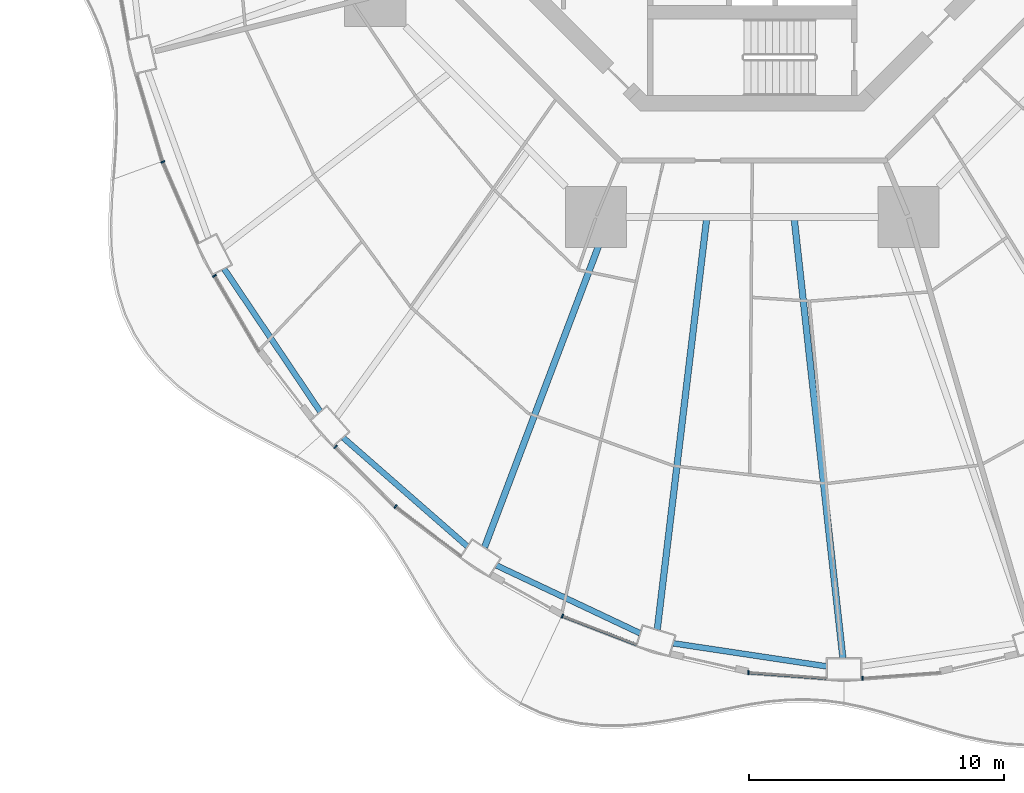
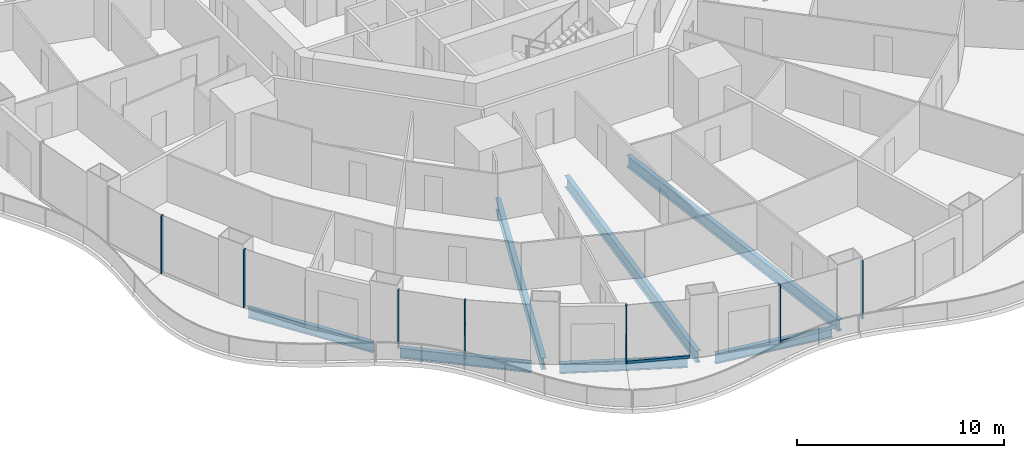
# One storey, part 2 of 23: 9 members, 7 beams, 7 elements without a shape of their own.
"""IFC4 building model written with IfcOpenShell, lengths in metres."""

from ifc_helpers import new_model, si_unit, direction, frame, origin, origin_2d, place, context, subcontext, project, spatial, rectangle, i_section, extrude, material, layer, layer_set, material_profile, profile_set, type_object, element, aggregate, save


model = new_model("IFC4")

# Units and contexts
model_context = context("Model", 3, precision=1e-05, world=origin(), true_north=direction((0.0, 1.0)))
body_context = subcontext(model_context, "Body", "Model", "MODEL_VIEW")
ifc_project = project(units=[si_unit("LENGTHUNIT", "METRE"), si_unit("AREAUNIT", "SQUARE_METRE"), si_unit("VOLUMEUNIT", "CUBIC_METRE"), si_unit("PLANEANGLEUNIT", "RADIAN"), si_unit("MASSUNIT", "GRAM", prefix="KILO")], contexts=[model_context])

# Site, building, storey
site_placement = place(None, origin())
site = spatial("IfcSite", under=ifc_project, at=site_placement, CompositionType="ELEMENT")
building_placement = place(site_placement, origin())
building = spatial("IfcBuilding", under=site, at=building_placement, Name="Nagisa Residences", CompositionType="ELEMENT")
storey_placement = place(building_placement, frame((0.0, 0.0, 56.60009765625)))
storey = spatial("IfcBuildingStorey", under=building, at=storey_placement, Name="L13", CompositionType="ELEMENT", Elevation=56.60009765625)

# Curtain wall, member
ifc_material_1 = material(Name="Concrete-coloured aluminium curtain wall system", Category="concrete")
ifc_layer = layer(ifc_material_1, 0.159912109375)
ifc_layer_set = layer_set([ifc_layer], Name="CW1 CURTAIN WALL")
curtain_wall_type = type_object("IfcCurtainWallType", Name="CW1 CURTAIN WALL", PredefinedType="NOTDEFINED", material=ifc_layer_set)
curtain_wall_1_placement = place(storey_placement, origin())
curtain_wall_1 = element("IfcCurtainWall", 1, at=curtain_wall_1_placement, inside=storey, type_object=curtain_wall_type, Name="cw:CW1:L13:27", PredefinedType="NOTDEFINED")
ifc_material_2 = material(Name="Concrete-coloured aluminium", Category="concrete")
ifc_material_profile_1 = material_profile(ifc_material_2, rectangle(XDim=0.159912109375, YDim=0.06005859375, at=origin_2d()), Name="CW1 MULLION 160x60")
ifc_profile_set_1 = profile_set([ifc_material_profile_1], Name="Concrete-coloured aluminium")
member_type_1 = type_object("IfcMemberType", Name="CW1 MULLION 160x60", PredefinedType="MULLION", material=ifc_profile_set_1)
member_1_placement = place(storey_placement, frame((-23.107177734375, -12.624267578125, 0.0), z_axis=(0.0, 0.0, 1.0), x_axis=(0.917543276295, 0.397635934147, 0.0)))
member_1 = element("IfcMember", 2, at=member_1_placement, type_object=member_type_1, Name="CW1 mullion", PredefinedType="MULLION", context=body_context, shape_type="SweptSolid", body=[
    extrude(rectangle(XDim=0.159912109375, YDim=0.06005859375, at=origin_2d()), origin(), (0.0, 0.0, 1.0), 3.43994140625),
])
aggregate(curtain_wall_1, [member_1])

curtain_wall_2_placement = place(storey_placement, origin())
curtain_wall_2 = element("IfcCurtainWall", 3, at=curtain_wall_2_placement, inside=storey, type_object=curtain_wall_type, Name="cw:CW1:L13:28", PredefinedType="NOTDEFINED")
member_2_placement = place(storey_placement, frame((-21.076171875, -17.089111328125, 0.0), z_axis=(0.0, 0.0, 1.0), x_axis=(0.862328898214, 0.506348567002, 0.0)))
member_2 = element("IfcMember", 4, at=member_2_placement, type_object=member_type_1, Name="CW1 mullion", PredefinedType="MULLION", context=body_context, shape_type="SweptSolid", body=[
    extrude(rectangle(XDim=0.159912109375, YDim=0.06005859375, at=origin_2d()), origin(), (0.0, 0.0, 1.0), 3.43994140625),
])
aggregate(curtain_wall_2, [member_2])

curtain_wall_3_placement = place(storey_placement, origin())
curtain_wall_3 = element("IfcCurtainWall", 5, at=curtain_wall_3_placement, inside=storey, type_object=curtain_wall_type, Name="cw:CW1:L13:30", PredefinedType="NOTDEFINED")
member_3_placement = place(storey_placement, frame((-16.332763671875, -23.79345703125, 0.0), z_axis=(0.0, 0.0, 1.0), x_axis=(0.706376885714, 0.707835924016, 0.0)))
member_3 = element("IfcMember", 6, at=member_3_placement, type_object=member_type_1, Name="CW1 mullion", PredefinedType="MULLION", context=body_context, shape_type="SweptSolid", body=[
    extrude(rectangle(XDim=0.159912109375, YDim=0.06005859375, at=origin_2d()), origin(), (0.0, 0.0, 1.0), 3.43994140625),
])
aggregate(curtain_wall_3, [member_3])

curtain_wall_4_placement = place(storey_placement, origin())
curtain_wall_4 = element("IfcCurtainWall", 7, at=curtain_wall_4_placement, inside=storey, type_object=curtain_wall_type, Name="cw:CW1:L13:31", PredefinedType="NOTDEFINED")
member_4_placement = place(storey_placement, frame((-13.981689453125, -26.13525390625, 0.0), z_axis=(0.0, 0.0, 1.0), x_axis=(0.605255421737, 0.79603132756, 0.0)))
member_4 = element("IfcMember", 8, at=member_4_placement, type_object=member_type_1, Name="CW1 mullion", PredefinedType="MULLION", context=body_context, shape_type="SweptSolid", body=[
    extrude(rectangle(XDim=0.159912109375, YDim=0.06005859375, at=origin_2d()), origin(), (0.0, 0.0, 1.0), 3.43994140625),
])
aggregate(curtain_wall_4, [member_4])

curtain_wall_5_placement = place(storey_placement, origin())
curtain_wall_5 = element("IfcCurtainWall", 9, at=curtain_wall_5_placement, inside=storey, type_object=curtain_wall_type, Name="cw:CW1:L13:33", PredefinedType="NOTDEFINED")
member_5_placement = place(storey_placement, frame((-7.44091796875, -30.42431640625, 0.0), z_axis=(0.0, 0.0, 1.0), x_axis=(0.360327770268, 0.932825759707, 0.0)))
member_5 = element("IfcMember", 10, at=member_5_placement, type_object=member_type_1, Name="CW1 mullion", PredefinedType="MULLION", context=body_context, shape_type="SweptSolid", body=[
    extrude(rectangle(XDim=0.159912109375, YDim=0.06005859375, at=origin_2d()), origin(), (0.0, 0.0, 1.0), 3.43994140625),
])

curtain_wall_6_placement = place(storey_placement, origin())
curtain_wall_6 = element("IfcCurtainWall", 11, at=curtain_wall_6_placement, inside=storey, type_object=curtain_wall_type, Name="cw:CW1:L13:35", PredefinedType="NOTDEFINED")
member_6_placement = place(storey_placement, frame((-0.1494140625, -32.64013671875, 0.0), z_axis=(0.0, 0.0, 1.0), x_axis=(0.074377355493, 0.997230168512, 0.0)))
member_6 = element("IfcMember", 12, at=member_6_placement, type_object=member_type_1, Name="CW1 mullion", PredefinedType="MULLION", context=body_context, shape_type="SweptSolid", body=[
    extrude(rectangle(XDim=0.159912109375, YDim=0.06005859375, at=origin_2d()), origin(), (0.0, 0.0, 1.0), 3.43994140625),
])

curtain_wall_7_placement = place(storey_placement, origin())
curtain_wall_7 = element("IfcCurtainWall", 13, at=curtain_wall_7_placement, inside=storey, type_object=curtain_wall_type, Name="cw:CW1:L13:36", PredefinedType="NOTDEFINED")
member_7_placement = place(storey_placement, frame((4.322021484375, -32.865966796875, 0.0), z_axis=(0.0, 0.0, 1.0), x_axis=(-0.074377355493, 0.997230168512, 0.0)))
member_7 = element("IfcMember", 14, at=member_7_placement, type_object=member_type_1, Name="CW1 mullion", PredefinedType="MULLION", context=body_context, shape_type="SweptSolid", body=[
    extrude(rectangle(XDim=0.159912109375, YDim=0.06005859375, at=origin_2d()), origin(), (0.0, 0.0, 1.0), 3.43994140625),
])
aggregate(curtain_wall_7, [member_7])

# Member
ifc_material_3 = material(Name="Concrete-coloured aluminium", Category="concrete")
ifc_material_profile_2 = material_profile(ifc_material_3, rectangle(XDim=0.1201171875, YDim=0.14990234375, at=origin_2d()), Name="CW1 TRANSOM 120x150")
ifc_profile_set_2 = profile_set([ifc_material_profile_2], Name="Concrete-coloured aluminium")
member_type_2 = type_object("IfcMemberType", Name="CW1 TRANSOM 120x150", PredefinedType="USERDEFINED", material=ifc_profile_set_2)
member_8_placement = place(storey_placement, frame((-7.468994140625, -30.413330078125, 0.074951171875), z_axis=(0.932835426425, -0.360302743822, 0.0), x_axis=(0.360302743822, 0.932835426425, 0.0)))
member_8 = element("IfcMember", 15, at=member_8_placement, type_object=member_type_2, Name="CW1 transom", ObjectType="TRANSOM", PredefinedType="USERDEFINED", context=body_context, shape_type="SweptSolid", body=[
    extrude(rectangle(XDim=0.1201171875, YDim=0.14990234375, at=origin_2d()), origin(), (0.0, 0.0, 1.0), 3.15087890625),
])

aggregate(curtain_wall_5, [member_5, member_8])

member_9_placement = place(storey_placement, frame((-0.17919921875, -32.637939453125, 0.074951171875), z_axis=(0.997230834878, -0.074368420505, 0.0), x_axis=(0.074368420505, 0.997230834878, 0.0)))
member_9 = element("IfcMember", 16, at=member_9_placement, type_object=member_type_2, Name="CW1 transom", ObjectType="TRANSOM", PredefinedType="USERDEFINED", context=body_context, shape_type="SweptSolid", body=[
    extrude(rectangle(XDim=0.1201171875, YDim=0.14990234375, at=origin_2d()), origin(), (0.0, 0.0, 1.0), 3.095703125),
])

aggregate(curtain_wall_6, [member_6, member_9])

# Beams
ifc_material_4 = material(Name="Steel ASTM A572 Gr 50", Category="steel")
ifc_material_profile_3 = material_profile(ifc_material_4, i_section(OverallWidth=0.22802734375, OverallDepth=0.60302734375, WebThickness=0.010498046875, FlangeThickness=0.014892578125, at=origin_2d()), Name="W610x101")
ifc_profile_set_3 = profile_set([ifc_material_profile_3], Name="Steel ASTM A572 Gr 50")
beam_type_1 = type_object("IfcBeamType", Name="Perimeter ring beam W610x101", PredefinedType="BEAM", material=ifc_profile_set_3)
beam_1_placement = place(storey_placement, frame((-20.69921875, -16.818603515625, -0.5615234375), z_axis=(0.558296806041, -0.829641293792, 0.0), x_axis=(0.829641293792, 0.558296806041, 0.0)))
element("IfcBeam", 17, at=beam_1_placement, inside=storey, type_object=beam_type_1, Name="beam:L13:pb15", PredefinedType="BEAM", context=body_context, shape_type="SweptSolid", body=[
    extrude(i_section(OverallWidth=0.22802734375, OverallDepth=0.60302734375, WebThickness=0.010498046875, FlangeThickness=0.014892578125, at=origin_2d()), origin(), (0.0, 0.0, 1.0), 6.74169921875),
])
beam_2_placement = place(storey_placement, frame((-16.0361328125, -23.432861328125, -0.5615234375), z_axis=(0.752574357292, -0.658507279191, 0.0), x_axis=(0.658507279191, 0.752574357292, 0.0)))
element("IfcBeam", 18, at=beam_2_placement, inside=storey, type_object=beam_type_1, Name="beam:L13:pb16", PredefinedType="BEAM", context=body_context, shape_type="SweptSolid", body=[
    extrude(i_section(OverallWidth=0.22802734375, OverallDepth=0.60302734375, WebThickness=0.010498046875, FlangeThickness=0.014892578125, at=origin_2d()), origin(), (0.0, 0.0, 1.0), 6.47021484375),
])
beam_3_placement = place(storey_placement, frame((-10.02880859375, -28.439208984375, -0.5615234375), z_axis=(0.904208275867, -0.427091786216, 0.0), x_axis=(0.427091786216, 0.904208275867, 0.0)))
element("IfcBeam", 19, at=beam_3_placement, inside=storey, type_object=beam_type_1, Name="beam:L13:pb17", PredefinedType="BEAM", context=body_context, shape_type="SweptSolid", body=[
    extrude(i_section(OverallWidth=0.22802734375, OverallDepth=0.60302734375, WebThickness=0.010498046875, FlangeThickness=0.014892578125, at=origin_2d()), origin(), (0.0, 0.0, 1.0), 6.227294921875),
])
beam_4_placement = place(storey_placement, frame((-3.096435546875, -31.49462890625, -0.5615234375), z_axis=(0.988914559467, -0.14848566959, 0.0), x_axis=(0.14848566959, 0.988914559467, 0.0)))
element("IfcBeam", 20, at=beam_4_placement, inside=storey, type_object=beam_type_1, Name="beam:L13:pb18", PredefinedType="BEAM", context=body_context, shape_type="SweptSolid", body=[
    extrude(i_section(OverallWidth=0.22802734375, OverallDepth=0.60302734375, WebThickness=0.010498046875, FlangeThickness=0.014892578125, at=origin_2d()), origin(), (0.0, 0.0, 1.0), 6.08349609375),
])
ifc_material_5 = material(Name="Steel ASTM A572 Gr 50", Category="steel")
ifc_material_profile_4 = material_profile(ifc_material_5, i_section(OverallWidth=0.25390625, OverallDepth=0.68408203125, WebThickness=0.012451171875, FlangeThickness=0.018798828125, at=origin_2d()), Name="W690x140")
ifc_profile_set_4 = profile_set([ifc_material_profile_4], Name="Steel ASTM A572 Gr 50")
beam_type_2 = type_object("IfcBeamType", Name="Radial beam W690x140", PredefinedType="BEAM", material=ifc_profile_set_4)
beam_5_placement = place(storey_placement, frame((-10.493896484375, -27.7333984375, -0.60205078125), z_axis=(0.353887892206, 0.935287848606, 0.0), x_axis=(-0.935287848606, 0.353887892206, 0.0)))
element("IfcBeam", 21, at=beam_5_placement, inside=storey, type_object=beam_type_2, Name="beam:L13:rb17", PredefinedType="BEAM", context=body_context, shape_type="SweptSolid", body=[
    extrude(i_section(OverallWidth=0.25390625, OverallDepth=0.68408203125, WebThickness=0.012451171875, FlangeThickness=0.018798828125, at=origin_2d()), origin(), (0.0, 0.0, 1.0), 13.725830078125),
])
beam_6_placement = place(storey_placement, frame((-3.72412109375, -30.958740234375, -0.60205078125), z_axis=(0.119431411612, 0.992842453726, 0.0), x_axis=(-0.992842453726, 0.119431411612, 0.0)))
element("IfcBeam", 22, at=beam_6_placement, inside=storey, type_object=beam_type_2, Name="beam:L13:rb18", PredefinedType="BEAM", context=body_context, shape_type="SweptSolid", body=[
    extrude(i_section(OverallWidth=0.25390625, OverallDepth=0.68408203125, WebThickness=0.012451171875, FlangeThickness=0.018798828125, at=origin_2d()), origin(), (0.0, 0.0, 1.0), 16.1796875),
])
beam_7_placement = place(storey_placement, frame((3.55224609375, -32.06982421875, -0.60205078125), z_axis=(-0.110088818647, 0.993921753464, 0.0), x_axis=(-0.993921753464, -0.110088818647, 0.0)))
element("IfcBeam", 23, at=beam_7_placement, inside=storey, type_object=beam_type_2, Name="beam:L13:rb19", PredefinedType="BEAM", context=body_context, shape_type="SweptSolid", body=[
    extrude(i_section(OverallWidth=0.25390625, OverallDepth=0.68408203125, WebThickness=0.012451171875, FlangeThickness=0.018798828125, at=origin_2d()), origin(), (0.0, 0.0, 1.0), 17.280029296875),
])

save(model, "model.ifc")
